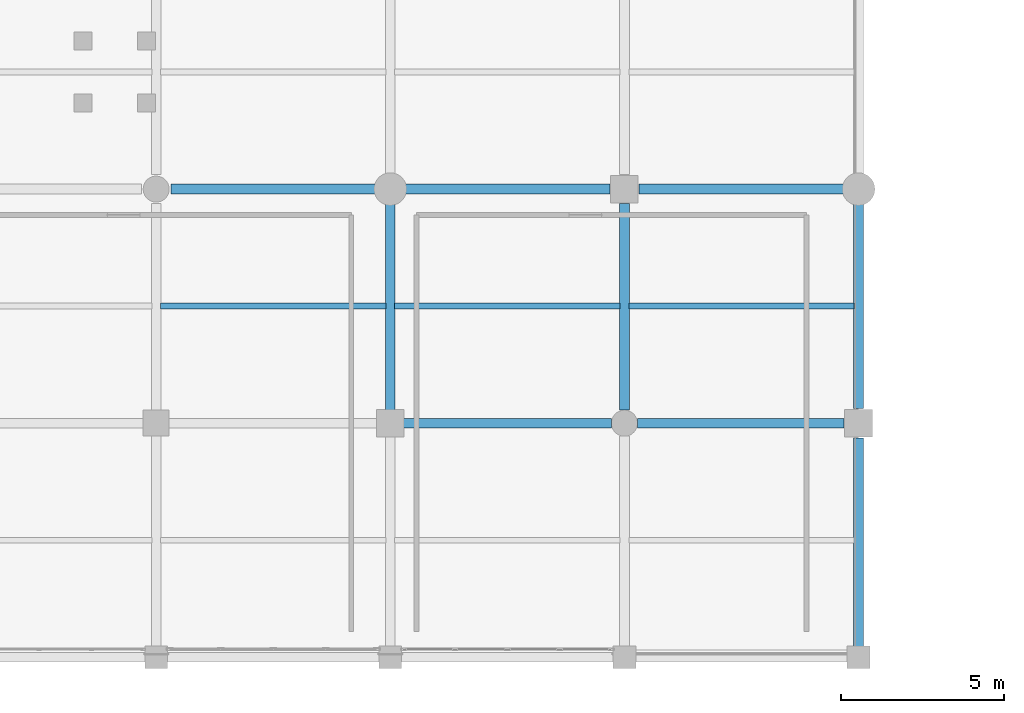
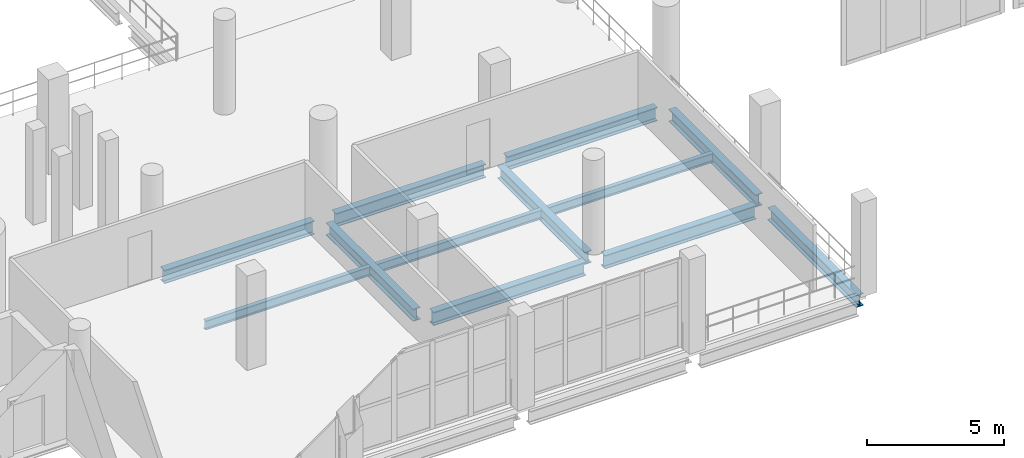
# One storey, part 32 of 153: 12 beams.
"""IFC4 building model written with IfcOpenShell, lengths in metres."""

from ifc_helpers import new_model, si_unit, direction, frame, origin, origin_2d, place, context, subcontext, project, spatial, i_section, extrude, material, material_profile, profile_set, type_object, element, save


model = new_model("IFC4")

# Units and contexts
model_context = context("Model", 3, precision=1e-05, world=origin(), true_north=direction((0.0, 1.0)))
body_context = subcontext(model_context, "Body", "Model", "MODEL_VIEW")
ifc_project = project(units=[si_unit("LENGTHUNIT", "METRE"), si_unit("AREAUNIT", "SQUARE_METRE"), si_unit("VOLUMEUNIT", "CUBIC_METRE"), si_unit("PLANEANGLEUNIT", "RADIAN"), si_unit("MASSUNIT", "GRAM", prefix="KILO")], contexts=[model_context])

# Site, building, storey
site_placement = place(None, origin())
site = spatial("IfcSite", under=ifc_project, at=site_placement, CompositionType="ELEMENT")
building_placement = place(site_placement, origin())
building = spatial("IfcBuilding", under=site, at=building_placement, Name="Qandorah Velis Arena", CompositionType="ELEMENT")
storey_placement = place(building_placement, frame((0.0, 0.0, 5.39990234375)))
storey = spatial("IfcBuildingStorey", under=building, at=storey_placement, Name="L01", CompositionType="ELEMENT", Elevation=5.39990234375)

# Beams
ifc_material = material(Name="Steel S355", Category="steel")
ifc_material_profile_1 = material_profile(ifc_material, i_section(OverallWidth=0.300048828125, OverallDepth=0.550048828125, WebThickness=0.014892578125, FlangeThickness=0.029052734375, FilletRadius=0.027099609375, at=origin_2d()), Name="HEB 550")
ifc_profile_set_1 = profile_set([ifc_material_profile_1], Name="Steel S355")
beam_type_1 = type_object("IfcBeamType", Name="STR-BM-HEB550", PredefinedType="BEAM", material=ifc_profile_set_1)
for number, where, z_axis, x_axis, name in (
    (1, (100.800048828125, 7.60009765625, -0.635009765625), (0.0, 1.0, 0.0), (-1.0, 0.0, 0.0), "Primary floor girder L01 Y-351"),
    (2, (108.0, 7.60009765625, -0.635009765625), (0.0, 1.0, 0.0), (-1.0, 0.0, 0.0), "Primary floor girder L01 Y-360"),
):
    element("IfcBeam", number, at=place(storey_placement, frame(where, z_axis=z_axis, x_axis=x_axis)), inside=storey, type_object=beam_type_1, Name=name, PredefinedType="BEAM", context=body_context, shape_type="SweptSolid", body=[
        extrude(i_section(OverallWidth=0.300048828125, OverallDepth=0.550048828125, WebThickness=0.014892578125, FlangeThickness=0.029052734375, FilletRadius=0.027099609375, at=origin_2d()), origin(), (0.0, 0.0, 1.0), 6.349853515625),
    ])
beam_1_placement = place(storey_placement, frame((115.199951171875, 0.300048828125, -0.635009765625), z_axis=(0.0, 1.0, 0.0), x_axis=(-1.0, 0.0, 0.0)))
element("IfcBeam", 3, at=beam_1_placement, inside=storey, type_object=beam_type_1, Name="Primary floor girder L01 Y-377", PredefinedType="BEAM", context=body_context, shape_type="SweptSolid", body=[
    extrude(i_section(OverallWidth=0.300048828125, OverallDepth=0.550048828125, WebThickness=0.014892578125, FlangeThickness=0.029052734375, FilletRadius=0.027099609375, at=origin_2d()), origin(), (0.0, 0.0, 1.0), 6.449951171875),
])
beam_2_placement = place(storey_placement, frame((115.199951171875, 7.64990234375, -0.635009765625), z_axis=(0.0, 1.0, 0.0), x_axis=(-1.0, 0.0, 0.0)))
element("IfcBeam", 4, at=beam_2_placement, inside=storey, type_object=beam_type_1, Name="Primary floor girder L01 Y-378", PredefinedType="BEAM", context=body_context, shape_type="SweptSolid", body=[
    extrude(i_section(OverallWidth=0.300048828125, OverallDepth=0.550048828125, WebThickness=0.014892578125, FlangeThickness=0.029052734375, FilletRadius=0.027099609375, at=origin_2d()), origin(), (0.0, 0.0, 1.0), 6.300048828125),
])
ifc_material_profile_2 = material_profile(ifc_material, i_section(OverallWidth=0.300048828125, OverallDepth=0.60009765625, WebThickness=0.015380859375, FlangeThickness=0.030029296875, FilletRadius=0.027099609375, at=origin_2d()), Name="HEB 600")
ifc_profile_set_2 = profile_set([ifc_material_profile_2], Name="Steel S355")
beam_type_2 = type_object("IfcBeamType", Name="STR-BM-HEB600", PredefinedType="BEAM", material=ifc_profile_set_2)
beam_3_placement = place(storey_placement, frame((101.199951171875, 7.199951171875, -0.659912109375), z_axis=(1.0, 0.0, 0.0), x_axis=(0.0, 1.0, 0.0)))
element("IfcBeam", 5, at=beam_3_placement, inside=storey, type_object=beam_type_2, Name="Primary floor girder L01 X-031", PredefinedType="BEAM", context=body_context, shape_type="SweptSolid", body=[
    extrude(i_section(OverallWidth=0.300048828125, OverallDepth=0.60009765625, WebThickness=0.015380859375, FlangeThickness=0.030029296875, FilletRadius=0.027099609375, at=origin_2d()), origin(), (0.0, 0.0, 1.0), 6.400146484375),
])
beam_4_placement = place(storey_placement, frame((108.39990234375, 7.199951171875, -0.659912109375), z_axis=(1.0, 0.0, 0.0), x_axis=(0.0, 1.0, 0.0)))
element("IfcBeam", 6, at=beam_4_placement, inside=storey, type_object=beam_type_2, Name="Primary floor girder L01 X-032", PredefinedType="BEAM", context=body_context, shape_type="SweptSolid", body=[
    extrude(i_section(OverallWidth=0.300048828125, OverallDepth=0.60009765625, WebThickness=0.015380859375, FlangeThickness=0.030029296875, FilletRadius=0.027099609375, at=origin_2d()), origin(), (0.0, 0.0, 1.0), 6.35009765625),
])
for number, where, z_axis, x_axis, name in (
    (7, (94.050048828125, 14.39990234375, -0.659912109375), (1.0, 0.0, 0.0), (0.0, 1.0, 0.0), "Primary floor girder L01 X-046"),
    (8, (101.25, 14.39990234375, -0.659912109375), (1.0, 0.0, 0.0), (0.0, 1.0, 0.0), "Primary floor girder L01 X-047"),
    (9, (108.449951171875, 14.39990234375, -0.659912109375), (1.0, 0.0, 0.0), (0.0, 1.0, 0.0), "Primary floor girder L01 X-048"),
):
    element("IfcBeam", number, at=place(storey_placement, frame(where, z_axis=z_axis, x_axis=x_axis)), inside=storey, type_object=beam_type_2, Name=name, PredefinedType="BEAM", context=body_context, shape_type="SweptSolid", body=[
        extrude(i_section(OverallWidth=0.300048828125, OverallDepth=0.60009765625, WebThickness=0.015380859375, FlangeThickness=0.030029296875, FilletRadius=0.027099609375, at=origin_2d()), origin(), (0.0, 0.0, 1.0), 6.300048828125),
    ])
ifc_material_profile_3 = material_profile(ifc_material, i_section(OverallWidth=0.179931640625, OverallDepth=0.39990234375, WebThickness=0.008544921875, FlangeThickness=0.013427734375, FilletRadius=0.02099609375, at=origin_2d()), Name="IPE 400")
ifc_profile_set_3 = profile_set([ifc_material_profile_3], Name="Steel S355")
beam_type_3 = type_object("IfcBeamType", Name="STR-JST-IPE400", PredefinedType="JOIST", material=ifc_profile_set_3)
for number, where, z_axis, x_axis, name in (
    (10, (93.735107421875, 10.800048828125, -0.559814453125), (1.0, 0.0, 0.0), (0.0, 1.0, 0.0), "Secondary floor joist L01-104"),
    (11, (100.93505859375, 10.800048828125, -0.559814453125), (1.0, 0.0, 0.0), (0.0, 1.0, 0.0), "Secondary floor joist L01-109"),
    (12, (108.135009765625, 10.800048828125, -0.559814453125), (1.0, 0.0, 0.0), (0.0, 1.0, 0.0), "Secondary floor joist L01-118"),
):
    element("IfcBeam", number, at=place(storey_placement, frame(where, z_axis=z_axis, x_axis=x_axis)), inside=storey, type_object=beam_type_3, Name=name, PredefinedType="JOIST", context=body_context, shape_type="SweptSolid", body=[
        extrude(i_section(OverallWidth=0.179931640625, OverallDepth=0.39990234375, WebThickness=0.008544921875, FlangeThickness=0.013427734375, FilletRadius=0.02099609375, at=origin_2d()), origin(), (0.0, 0.0, 1.0), 6.929931640625),
    ])

save(model, "model.ifc")
